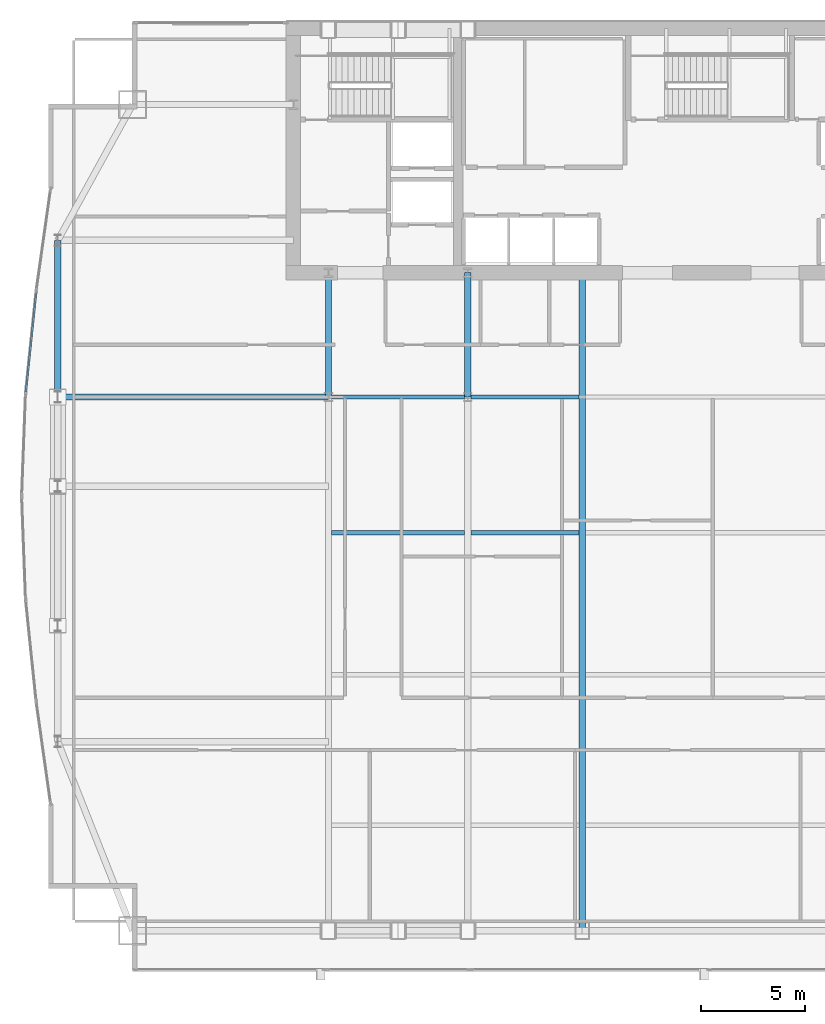
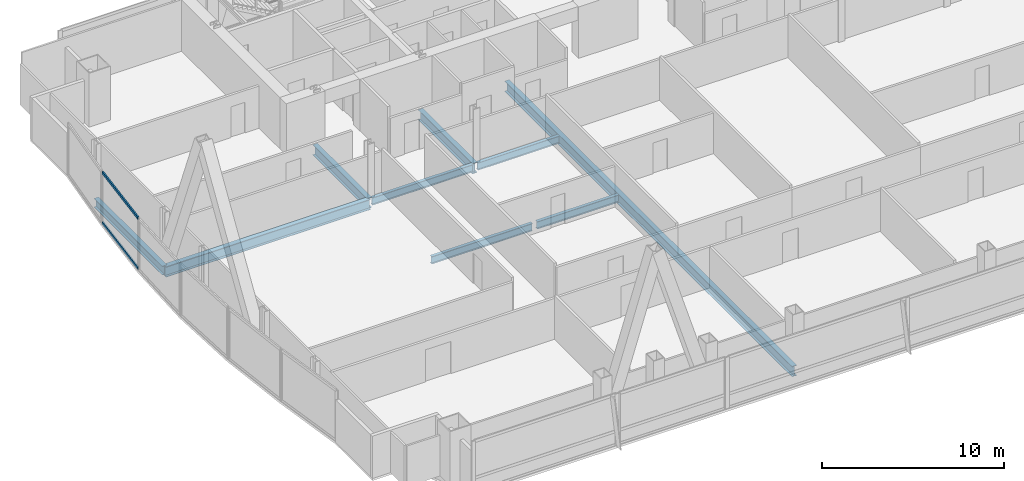
# One storey, part 12 of 30: 9 beams, 2 members, 1 element without a shape of its own.
"""IFC4 building model written with IfcOpenShell, lengths in metres."""

from ifc_helpers import new_model, si_unit, direction, frame, origin, origin_2d, place, context, subcontext, project, spatial, hollow_rectangle, i_section, extrude, material, material_profile, profile_set, type_object, element, aggregate, save


model = new_model("IFC4")

# Units and contexts
model_context = context("Model", 3, precision=1e-05, world=origin(), true_north=direction((0.0, 1.0)))
body_context = subcontext(model_context, "Body", "Model", "MODEL_VIEW")
ifc_project = project(units=[si_unit("LENGTHUNIT", "METRE"), si_unit("AREAUNIT", "SQUARE_METRE"), si_unit("VOLUMEUNIT", "CUBIC_METRE"), si_unit("PLANEANGLEUNIT", "RADIAN"), si_unit("MASSUNIT", "GRAM", prefix="KILO")], contexts=[model_context])

# Site, building, storey
site_placement = place(None, origin())
site = spatial("IfcSite", under=ifc_project, at=site_placement, CompositionType="ELEMENT")
building_placement = place(site_placement, origin())
building = spatial("IfcBuilding", under=site, at=building_placement, Name="Khoronbel Lancet Exchange", CompositionType="ELEMENT")
storey_placement = place(building_placement, frame((0.0, 0.0, 147.0)))
storey = spatial("IfcBuildingStorey", under=building, at=storey_placement, Name="L36", CompositionType="ELEMENT", Elevation=147.0)

# Beams
ifc_material_1 = material(Name="Steel S355", Category="steel")
ifc_material_profile_1 = material_profile(ifc_material_1, i_section(OverallWidth=0.300048828125, OverallDepth=0.699951171875, WebThickness=0.01708984375, FlangeThickness=0.031982421875, at=origin_2d()), Name="HEB 700")
ifc_profile_set_1 = profile_set([ifc_material_profile_1], Name="Steel S355")
beam_type_1 = type_object("IfcBeamType", Name="BM-BG3", PredefinedType="BEAM", material=ifc_profile_set_1)
for number, where, z_axis, x_axis, name in (
    (1, (18.22509765625, 35.699951171875, -0.510009765625), (0.0, 1.0, 0.0), (-1.0, 0.0, 0.0), "Level L36 spine tie girder GN1"),
    (2, (24.89990234375, 35.699951171875, -0.510009765625), (0.0, 1.0, 0.0), (-1.0, 0.0, 0.0), "Level L36 spine tie girder GN2"),
):
    element("IfcBeam", number, at=place(storey_placement, frame(where, z_axis=z_axis, x_axis=x_axis)), inside=storey, type_object=beam_type_1, Name=name, PredefinedType="BEAM", context=body_context, shape_type="SweptSolid", body=[
        extrude(i_section(OverallWidth=0.300048828125, OverallDepth=0.699951171875, WebThickness=0.01708984375, FlangeThickness=0.031982421875, at=origin_2d()), origin(), (0.0, 0.0, 1.0), 5.949951171875),
    ])
beam_1_placement = place(storey_placement, frame((30.375, 10.14990234375, -0.510009765625), z_axis=(0.0, 1.0, 0.0), x_axis=(-1.0, 0.0, 0.0)))
element("IfcBeam", 3, at=beam_1_placement, inside=storey, type_object=beam_type_1, Name="Level L36 primary floor girder G3", PredefinedType="BEAM", context=body_context, shape_type="SweptSolid", body=[
    extrude(i_section(OverallWidth=0.300048828125, OverallDepth=0.699951171875, WebThickness=0.01708984375, FlangeThickness=0.031982421875, at=origin_2d()), origin(), (0.0, 0.0, 1.0), 31.5),
])
beam_2_placement = place(storey_placement, frame((5.27001953125, 35.699951171875, -0.510009765625), z_axis=(1.0, 0.0, 0.0), x_axis=(0.0, 1.0, 0.0)))
element("IfcBeam", 4, at=beam_2_placement, inside=storey, type_object=beam_type_1, Name="Level L36 west lens tie girder LG4W", PredefinedType="BEAM", context=body_context, shape_type="SweptSolid", body=[
    extrude(i_section(OverallWidth=0.300048828125, OverallDepth=0.699951171875, WebThickness=0.01708984375, FlangeThickness=0.031982421875, at=origin_2d()), origin(), (0.0, 0.0, 1.0), 12.955078125),
])
ifc_material_profile_2 = material_profile(ifc_material_1, i_section(OverallWidth=0.199951171875, OverallDepth=0.5, WebThickness=0.01025390625, FlangeThickness=0.01611328125, at=origin_2d()), Name="IPE 500")
ifc_profile_set_2 = profile_set([ifc_material_profile_2], Name="Steel S355")
beam_type_2 = type_object("IfcBeamType", Name="BM-BJ3", PredefinedType="JOIST", material=ifc_profile_set_2)
beam_3_placement = place(storey_placement, frame((18.375, 29.199951171875, -0.409912109375), z_axis=(1.0, 0.0, 0.0), x_axis=(0.0, 1.0, 0.0)))
element("IfcBeam", 5, at=beam_3_placement, inside=storey, type_object=beam_type_2, Name="Level L36 secondary composite joist J11", PredefinedType="JOIST", context=body_context, shape_type="SweptSolid", body=[
    extrude(i_section(OverallWidth=0.199951171875, OverallDepth=0.5, WebThickness=0.01025390625, FlangeThickness=0.01611328125, at=origin_2d()), origin(), (0.0, 0.0, 1.0), 6.375),
])
beam_4_placement = place(storey_placement, frame((25.050048828125, 29.199951171875, -0.409912109375), z_axis=(1.0, 0.0, 0.0), x_axis=(0.0, 1.0, 0.0)))
element("IfcBeam", 6, at=beam_4_placement, inside=storey, type_object=beam_type_2, Name="Level L36 secondary composite joist J12", PredefinedType="JOIST", context=body_context, shape_type="SweptSolid", body=[
    extrude(i_section(OverallWidth=0.199951171875, OverallDepth=0.5, WebThickness=0.01025390625, FlangeThickness=0.01611328125, at=origin_2d()), origin(), (0.0, 0.0, 1.0), 5.175048828125),
])
beam_5_placement = place(storey_placement, frame((18.375, 35.699951171875, -0.409912109375), z_axis=(1.0, 0.0, 0.0), x_axis=(0.0, 1.0, 0.0)))
element("IfcBeam", 7, at=beam_5_placement, inside=storey, type_object=beam_type_2, Name="Level L36 secondary composite joist J16", PredefinedType="JOIST", context=body_context, shape_type="SweptSolid", body=[
    extrude(i_section(OverallWidth=0.199951171875, OverallDepth=0.5, WebThickness=0.01025390625, FlangeThickness=0.01611328125, at=origin_2d()), origin(), (0.0, 0.0, 1.0), 6.375),
])
beam_6_placement = place(storey_placement, frame((25.050048828125, 35.699951171875, -0.409912109375), z_axis=(1.0, 0.0, 0.0), x_axis=(0.0, 1.0, 0.0)))
element("IfcBeam", 8, at=beam_6_placement, inside=storey, type_object=beam_type_2, Name="Level L36 secondary composite joist J17", PredefinedType="JOIST", context=body_context, shape_type="SweptSolid", body=[
    extrude(i_section(OverallWidth=0.199951171875, OverallDepth=0.5, WebThickness=0.01025390625, FlangeThickness=0.01611328125, at=origin_2d()), origin(), (0.0, 0.0, 1.0), 5.175048828125),
])
ifc_material_profile_3 = material_profile(ifc_material_1, i_section(OverallWidth=0.300048828125, OverallDepth=0.60009765625, WebThickness=0.015380859375, FlangeThickness=0.030029296875, at=origin_2d()), Name="HEB 600")
ifc_profile_set_3 = profile_set([ifc_material_profile_3], Name="Steel S355")
beam_type_3 = type_object("IfcBeamType", Name="BM-BSP2", PredefinedType="SPANDREL", material=ifc_profile_set_3)
beam_7_placement = place(storey_placement, frame((5.27001953125, 43.199951171875, -0.4599609375), z_axis=(0.0, -1.0, 0.0), x_axis=(1.0, 0.0, 0.0)))
element("IfcBeam", 9, at=beam_7_placement, inside=storey, type_object=beam_type_3, Name="Level L36 perimeter spandrel beam SP17", PredefinedType="SPANDREL", context=body_context, shape_type="SweptSolid", body=[
    extrude(i_section(OverallWidth=0.300048828125, OverallDepth=0.60009765625, WebThickness=0.015380859375, FlangeThickness=0.030029296875, at=origin_2d()), origin(), (0.0, 0.0, 1.0), 7.5),
])

# Curtain wall, members
ifc_material_2 = material(Name="Low-E Solar Control Insulating Glass", Category="glass")
curtain_wall_type = type_object("IfcCurtainWallType", Name="CW-4", PredefinedType="NOTDEFINED", material=ifc_material_2)
curtain_wall_placement = place(storey_placement, origin())
curtain_wall = element("IfcCurtainWall", 10, at=curtain_wall_placement, inside=storey, type_object=curtain_wall_type, Name="Unitised curtain wall CW-L36-E08", PredefinedType="NOTDEFINED")
ifc_material_3 = material(Name="Bronze-Anodised Aluminium 6063-T6", Category="aluminium")
ifc_material_profile_4 = material_profile(ifc_material_3, hollow_rectangle(XDim=0.0849609375, YDim=0.179931640625, WallThickness=0.0048828125, at=origin_2d()), Name="ALU TRANSOM 85x180")
ifc_profile_set_4 = profile_set([ifc_material_profile_4], Name="Bronze-Anodised Aluminium 6063-T6")
member_type = type_object("IfcMemberType", Name="MEM-CWT1", PredefinedType="USERDEFINED", material=ifc_profile_set_4)
member_1_placement = place(storey_placement, frame((3.743896484375, 35.93505859375, 0.04248046875), z_axis=(0.10289567184, 0.994692153742, 0.0), x_axis=(-0.994692153742, 0.10289567184, 0.0)))
member_1 = element("IfcMember", 11, at=member_1_placement, type_object=member_type, Name="CW4 transom 1.1", ObjectType="TRANSOM", PredefinedType="USERDEFINED", context=body_context, shape_type="SweptSolid", body=[
    extrude(hollow_rectangle(XDim=0.0849609375, YDim=0.179931640625, WallThickness=0.0048828125, at=origin_2d()), origin(), (0.0, 0.0, 1.0), 4.7880859375),
])
member_2_placement = place(storey_placement, frame((3.743896484375, 35.93505859375, 3.3974609375), z_axis=(0.10289567184, 0.994692153742, 0.0), x_axis=(-0.994692153742, 0.10289567184, 0.0)))
member_2 = element("IfcMember", 12, at=member_2_placement, type_object=member_type, Name="CW4 transom 1.2", ObjectType="TRANSOM", PredefinedType="USERDEFINED", context=body_context, shape_type="SweptSolid", body=[
    extrude(hollow_rectangle(XDim=0.0849609375, YDim=0.179931640625, WallThickness=0.0048828125, at=origin_2d()), origin(), (0.0, 0.0, 1.0), 4.7880859375),
])
aggregate(curtain_wall, [member_1, member_2])

save(model, "model.ifc")
